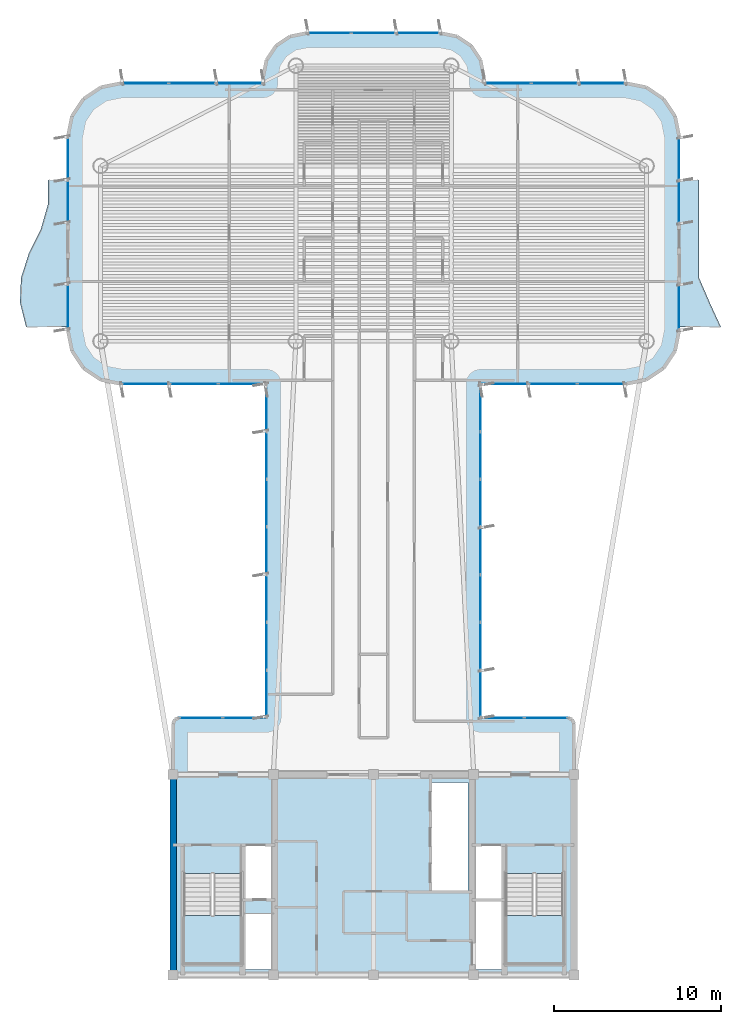
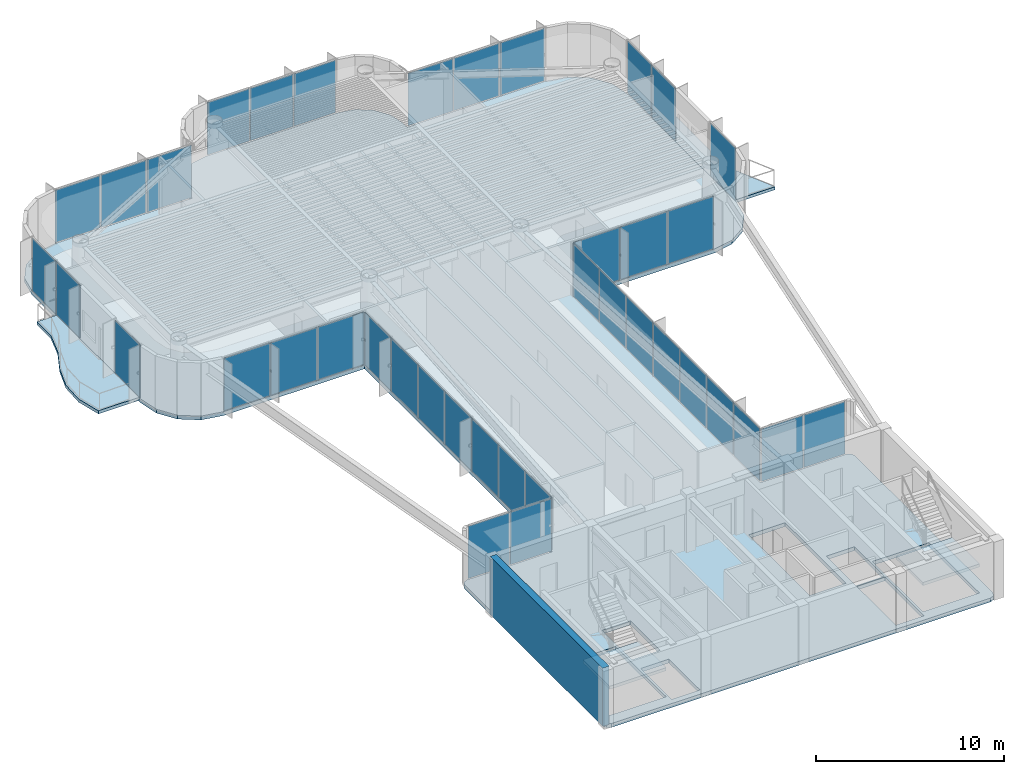
# One storey, part 9 of 16: 39 plates, 5 slabs, 1 wall, 15 elements without a shape of their own.
"""IFC4 building model written with IfcOpenShell, lengths in metres."""

from ifc_helpers import new_model, si_unit, direction, frame, frame_2d, origin, origin_2d, place, context, subcontext, project, spatial, polyline, rectangle, outline, extrude, source, transform, mapped, material, layer, layer_set, type_object, element, aggregate, save


model = new_model("IFC4")

# Units and contexts
model_context = context("Model", 3, precision=1e-05, world=origin(), true_north=direction((0.0, 1.0)))
body_context = subcontext(model_context, "Body", "Model", "MODEL_VIEW")
ifc_project = project(units=[si_unit("LENGTHUNIT", "METRE"), si_unit("AREAUNIT", "SQUARE_METRE"), si_unit("VOLUMEUNIT", "CUBIC_METRE"), si_unit("PLANEANGLEUNIT", "RADIAN"), si_unit("MASSUNIT", "GRAM", prefix="KILO")], contexts=[model_context])

# Site, building, storey
site_placement = place(None, origin())
site = spatial("IfcSite", under=ifc_project, at=site_placement, CompositionType="ELEMENT")
building_placement = place(site_placement, origin())
building = spatial("IfcBuilding", under=site, at=building_placement, Name="Brelvock Crest Care Tower", CompositionType="ELEMENT")
storey_placement = place(building_placement, frame((0.0, 0.0, 234.360107421875)))
storey = spatial("IfcBuildingStorey", under=building, at=storey_placement, Name="L59", CompositionType="ELEMENT", Elevation=234.360107421875)

# Slabs
ifc_material_1 = material(Name="Concrete N50 (50 MPa)", Category="concrete")
ifc_layer_1 = layer(ifc_material_1, 0.22998046875, Name="SLB-FL4")
ifc_layer_set_1 = layer_set([ifc_layer_1], Name="Concrete N50 (50 MPa)")
slab_type_1 = type_object("IfcSlabType", Name="SLB-FL4", PredefinedType="FLOOR", material=ifc_layer_set_1)
slab_1_placement = place(storey_placement, frame((0.0, 0.0, -0.25)))
element("IfcSlab", 1, at=slab_1_placement, inside=storey, type_object=slab_type_1, Name="L59 Main Structural Slab", PredefinedType="FLOOR", context=body_context, shape_type="SweptSolid", body=[
    extrude(outline(polyline([(47.64990234375, 21.39990234375), (42.39990234375, 21.39990234375), (42.39990234375, 41.39990234375), (51.10009765625, 41.39990234375), (52.32470703125, 41.6435546875), (53.36279296875, 42.33740234375), (54.056396484375, 43.37548828125), (54.300048828125, 44.60009765625), (54.300048828125, 56.199951171875), (54.056396484375, 57.424560546875), (53.36279296875, 58.462646484375), (52.32470703125, 59.156494140625), (51.10009765625, 59.39990234375), (42.60009765625, 59.39990234375), (42.60009765625, 59.800048828125), (42.402099609375, 60.794921875), (41.83837890625, 61.638427734375), (40.9951171875, 62.2021484375), (40.0, 62.39990234375), (32.0, 62.39990234375), (31.0048828125, 62.2021484375), (30.16162109375, 61.638427734375), (29.597900390625, 60.794921875), (29.39990234375, 59.800048828125), (29.39990234375, 59.39990234375), (20.89990234375, 59.39990234375), (19.67529296875, 59.156494140625), (18.63720703125, 58.462646484375), (17.943603515625, 57.424560546875), (17.699951171875, 56.199951171875), (17.699951171875, 44.60009765625), (17.943603515625, 43.37548828125), (18.63720703125, 42.33740234375), (19.67529296875, 41.6435546875), (20.89990234375, 41.39990234375), (29.60009765625, 41.39990234375), (29.60009765625, 21.39990234375), (24.35009765625, 21.39990234375), (24.1025390625, 21.297607421875), (24.0, 21.050048828125), (24.0, 6.35009765625), (24.1025390625, 6.1025390625), (24.35009765625, 6.0), (47.64990234375, 6.0), (47.8974609375, 6.1025390625), (48.0, 6.35009765625), (48.0, 21.050048828125), (47.8974609375, 21.297607421875), (47.64990234375, 21.39990234375)]), holes=[polyline([(28.239990234375, 10.580078125), (29.97998046875, 10.580078125), (29.97998046875, 13.739990234375), (28.239990234375, 13.739990234375), (28.239990234375, 10.580078125)]), polyline([(42.02001953125, 10.580078125), (43.760009765625, 10.580078125), (43.760009765625, 13.739990234375), (42.02001953125, 13.739990234375), (42.02001953125, 10.580078125)]), polyline([(28.239990234375, 6.340087890625), (29.97998046875, 6.340087890625), (29.97998046875, 9.64990234375), (28.239990234375, 9.64990234375), (28.239990234375, 6.340087890625)]), polyline([(24.6298828125, 12.080078125), (24.6298828125, 6.699951171875), (28.110107421875, 6.699951171875), (28.110107421875, 12.080078125), (24.6298828125, 12.080078125)]), polyline([(43.889892578125, 12.080078125), (43.889892578125, 6.699951171875), (47.3701171875, 6.699951171875), (47.3701171875, 12.080078125), (43.889892578125, 12.080078125)]), polyline([(42.02001953125, 6.340087890625), (43.760009765625, 6.340087890625), (43.760009765625, 10.5), (42.02001953125, 10.5), (42.02001953125, 6.340087890625)]), polyline([(39.429931640625, 11.030029296875), (41.669921875, 11.030029296875), (41.669921875, 17.52001953125), (39.429931640625, 17.52001953125), (39.429931640625, 11.030029296875)])]), origin(), (0.0, 0.0, 1.0), 0.25),
])
ifc_layer_2 = layer(ifc_material_1, 0.199951171875, Name="SLB-WB2")
ifc_layer_set_2 = layer_set([ifc_layer_2], Name="Concrete N50 (50 MPa)")
slab_type_2 = type_object("IfcSlabType", Name="SLB-WB2", PredefinedType="FLOOR", material=ifc_layer_set_2)
slab_2_placement = place(storey_placement, frame((0.0, 0.0, -0.2001953125)))
element("IfcSlab", 2, at=slab_2_placement, inside=storey, type_object=slab_type_2, Name="L59 W Sinusoidal Wave Balcony Slab", PredefinedType="FLOOR", context=body_context, shape_type="SweptSolid", body=[
    extrude(outline(polyline([(17.699951171875, 53.60009765625), (16.5, 53.60009765625), (16.5, 52.13330078125), (16.079345703125, 50.666748046875), (15.3564453125, 49.199951171875), (14.8896484375, 47.7333984375), (14.82958984375, 46.2666015625), (15.1953125, 44.800048828125), (17.699951171875, 44.800048828125), (17.699951171875, 53.60009765625)])), origin(), (0.0, 0.0, 1.0), 0.2001953125),
])
slab_3_placement = place(storey_placement, frame((0.0, 0.0, -0.2001953125)))
element("IfcSlab", 3, at=slab_3_placement, inside=storey, type_object=slab_type_2, Name="L59 E Sinusoidal Wave Balcony Slab", PredefinedType="FLOOR", context=body_context, shape_type="SweptSolid", body=[
    extrude(outline(polyline([(54.300048828125, 44.800048828125), (56.8046875, 44.800048828125), (56.130615234375, 46.2666015625), (55.5, 47.7333984375), (55.5, 49.199951171875), (55.5, 50.666748046875), (55.5, 52.13330078125), (55.5, 53.60009765625), (54.300048828125, 53.60009765625), (54.300048828125, 44.800048828125)])), origin(), (0.0, 0.0, 1.0), 0.2001953125),
])

# Stair, slab
ifc_material_2 = material(Name="Concrete N40 (40 MPa)", Category="concrete")
stair_type = type_object("IfcStairType", Name="ST-CORE1", PredefinedType="HALF_TURN_STAIR", material=ifc_material_2)
stair_1_placement = place(storey_placement, origin())
stair_1 = element("IfcStair", 4, at=stair_1_placement, inside=storey, type_object=stair_type, Name="L59 Fire-Isolated Core Stair ST-1", PredefinedType="HALF_TURN_STAIR")
ifc_layer_3 = layer(ifc_material_2, 0.199951171875, Name="STL-1")
ifc_layer_set_3 = layer_set([ifc_layer_3], Name="Concrete N40 (40 MPa)")
slab_type_3 = type_object("IfcSlabType", Name="STL-1", PredefinedType="LANDING", material=ifc_layer_set_3)
slab_4_placement = place(storey_placement, frame((0.0, 0.0, 1.68994140625)))
slab_4 = element("IfcSlab", 5, at=slab_4_placement, type_object=slab_type_3, Name="ST-1 landing 1", PredefinedType="LANDING", context=body_context, shape_type="SweptSolid", body=[
    extrude(outline(polyline([(24.6298828125, 9.56005859375), (24.6298828125, 6.699951171875), (28.110107421875, 6.699951171875), (28.110107421875, 9.56005859375), (24.6298828125, 9.56005859375)])), origin(), (0.0, 0.0, 1.0), 0.199951171875),
])
aggregate(stair_1, [slab_4])

stair_2_placement = place(storey_placement, origin())
stair_2 = element("IfcStair", 6, at=stair_2_placement, inside=storey, type_object=stair_type, Name="L59 Fire-Isolated Core Stair ST-2", PredefinedType="HALF_TURN_STAIR")
slab_5_placement = place(storey_placement, frame((0.0, 0.0, 1.68994140625)))
slab_5 = element("IfcSlab", 7, at=slab_5_placement, type_object=slab_type_3, Name="ST-2 landing 1", PredefinedType="LANDING", context=body_context, shape_type="SweptSolid", body=[
    extrude(outline(polyline([(43.889892578125, 9.56005859375), (43.889892578125, 6.699951171875), (47.3701171875, 6.699951171875), (47.3701171875, 9.56005859375), (43.889892578125, 9.56005859375)])), origin(), (0.0, 0.0, 1.0), 0.199951171875),
])
aggregate(stair_2, [slab_5])

# Curtain wall, plates
ifc_material_3 = material(Name="Dark Glass Double Glazed Low-E", Category="glass")
ifc_layer_4 = layer(ifc_material_3, 0.239990234375, Name="CWS-5")
ifc_layer_set_4 = layer_set([ifc_layer_4], Name="Dark Glass Double Glazed Low-E")
curtain_wall_type = type_object("IfcCurtainWallType", Name="CWS-5", PredefinedType="NOTDEFINED", material=ifc_layer_set_4)
curtain_wall_1_placement = place(storey_placement, origin())
curtain_wall_1 = element("IfcCurtainWall", 8, at=curtain_wall_1_placement, inside=storey, type_object=curtain_wall_type, Name="L59 Curtain Wall E10", PredefinedType="NOTDEFINED")
ifc_layer_5 = layer(ifc_material_3, 0.0380859375, Name="CWP-V2")
ifc_layer_set_5 = layer_set([ifc_layer_5], Name="Dark Glass Double Glazed Low-E")
plate_type = type_object("IfcPlateType", Name="CWP-V2", PredefinedType="CURTAIN_PANEL", material=ifc_layer_set_5)
shared_shape_1 = source(origin(), body_context, "Body", "SweptSolid", [
    extrude(rectangle(XDim=2.534912109375, YDim=0.035888671875, at=origin_2d()), origin(), (0.0, 0.0, 1.0), 3.409912109375),
])
plate_1_placement = place(storey_placement, frame((25.677490234375, 21.39990234375, 0.06005859375), z_axis=(0.0, 0.0, 1.0), x_axis=(1.0, 0.0, 0.0)))
plate_1 = element("IfcPlate", 9, at=plate_1_placement, type_object=plate_type, Name="CW-5 panel 1.1", PredefinedType="CURTAIN_PANEL", context=body_context, shape_type="MappedRepresentation", body=[
    mapped(shared_shape_1, transform((0.0, 0.0, 0.0), x_axis=(1.0, 0.0, 0.0), y_axis=(0.0, 1.0, 0.0), z_axis=(0.0, 0.0, 1.0), scale=1.0)),
])
plate_2_placement = place(storey_placement, frame((28.2724609375, 21.39990234375, 0.06005859375), z_axis=(0.0, 0.0, 1.0), x_axis=(1.0, 0.0, 0.0)))
plate_2 = element("IfcPlate", 10, at=plate_2_placement, type_object=plate_type, Name="CW-5 panel 2.1", PredefinedType="CURTAIN_PANEL", context=body_context, shape_type="MappedRepresentation", body=[
    mapped(shared_shape_1, transform((0.0, 0.0, 0.0), x_axis=(1.0, 0.0, 0.0), y_axis=(0.0, 1.0, 0.0), z_axis=(0.0, 0.0, 1.0), scale=1.0)),
])
aggregate(curtain_wall_1, [plate_1, plate_2])

curtain_wall_2_placement = place(storey_placement, origin())
curtain_wall_2 = element("IfcCurtainWall", 11, at=curtain_wall_2_placement, inside=storey, type_object=curtain_wall_type, Name="L59 Curtain Wall E46", PredefinedType="NOTDEFINED")
plate_3_placement = place(storey_placement, frame((43.7275390625, 21.39990234375, 0.06005859375), z_axis=(0.0, 0.0, 1.0), x_axis=(1.0, 0.0, 0.0)))
plate_3 = element("IfcPlate", 12, at=plate_3_placement, type_object=plate_type, Name="CW-5 panel 1.1", PredefinedType="CURTAIN_PANEL", context=body_context, shape_type="MappedRepresentation", body=[
    mapped(shared_shape_1, transform((0.0, 0.0, 0.0), x_axis=(1.0, 0.0, 0.0), y_axis=(0.0, 1.0, 0.0), z_axis=(0.0, 0.0, 1.0), scale=1.0)),
])
plate_4_placement = place(storey_placement, frame((46.322509765625, 21.39990234375, 0.06005859375), z_axis=(0.0, 0.0, 1.0), x_axis=(1.0, 0.0, 0.0)))
plate_4 = element("IfcPlate", 13, at=plate_4_placement, type_object=plate_type, Name="CW-5 panel 2.1", PredefinedType="CURTAIN_PANEL", context=body_context, shape_type="MappedRepresentation", body=[
    mapped(shared_shape_1, transform((0.0, 0.0, 0.0), x_axis=(1.0, 0.0, 0.0), y_axis=(0.0, 1.0, 0.0), z_axis=(0.0, 0.0, 1.0), scale=1.0)),
])
aggregate(curtain_wall_2, [plate_3, plate_4])

curtain_wall_3_placement = place(storey_placement, origin())
curtain_wall_3 = element("IfcCurtainWall", 14, at=curtain_wall_3_placement, inside=storey, type_object=curtain_wall_type, Name="L59 Curtain Wall E17B", PredefinedType="NOTDEFINED")
shared_shape_2 = source(origin(), body_context, "Body", "SweptSolid", [
    extrude(rectangle(XDim=2.510009765625, YDim=0.035888671875, at=origin_2d()), origin(), (0.0, 0.0, 1.0), 3.409912109375),
])
plate_5_placement = place(storey_placement, frame((17.699951171875, 52.31494140625, 0.06005859375), z_axis=(0.0, 0.0, 1.0), x_axis=(0.0, 1.0, 0.0)))
plate_5 = element("IfcPlate", 15, at=plate_5_placement, type_object=plate_type, Name="CW-5 panel 1.1", PredefinedType="CURTAIN_PANEL", context=body_context, shape_type="MappedRepresentation", body=[
    mapped(shared_shape_2, transform((0.0, 0.0, 0.0), x_axis=(1.0, 0.0, 0.0), y_axis=(0.0, 1.0, 0.0), z_axis=(0.0, 0.0, 1.0), scale=1.0)),
])
plate_6_placement = place(storey_placement, frame((17.699951171875, 54.885009765625, 0.06005859375), z_axis=(0.0, 0.0, 1.0), x_axis=(0.0, 1.0, 0.0)))
plate_6 = element("IfcPlate", 16, at=plate_6_placement, type_object=plate_type, Name="CW-5 panel 2.1", PredefinedType="CURTAIN_PANEL", context=body_context, shape_type="MappedRepresentation", body=[
    mapped(shared_shape_2, transform((0.0, 0.0, 0.0), x_axis=(1.0, 0.0, 0.0), y_axis=(0.0, 1.0, 0.0), z_axis=(0.0, 0.0, 1.0), scale=1.0)),
])
aggregate(curtain_wall_3, [plate_5, plate_6])

curtain_wall_4_placement = place(storey_placement, origin())
curtain_wall_4 = element("IfcCurtainWall", 17, at=curtain_wall_4_placement, inside=storey, type_object=curtain_wall_type, Name="L59 Curtain Wall E39A", PredefinedType="NOTDEFINED")
plate_7_placement = place(storey_placement, frame((54.300048828125, 54.885009765625, 0.06005859375), z_axis=(0.0, 0.0, 1.0), x_axis=(0.0, -1.0, 0.0)))
plate_7 = element("IfcPlate", 18, at=plate_7_placement, type_object=plate_type, Name="CW-5 panel 1.1", PredefinedType="CURTAIN_PANEL", context=body_context, shape_type="MappedRepresentation", body=[
    mapped(shared_shape_2, transform((0.0, 0.0, 0.0), x_axis=(1.0, 0.0, 0.0), y_axis=(0.0, 1.0, 0.0), z_axis=(0.0, 0.0, 1.0), scale=1.0)),
])
plate_8_placement = place(storey_placement, frame((54.300048828125, 52.31494140625, 0.06005859375), z_axis=(0.0, 0.0, 1.0), x_axis=(0.0, -1.0, 0.0)))
plate_8 = element("IfcPlate", 19, at=plate_8_placement, type_object=plate_type, Name="CW-5 panel 2.1", PredefinedType="CURTAIN_PANEL", context=body_context, shape_type="MappedRepresentation", body=[
    mapped(shared_shape_2, transform((0.0, 0.0, 0.0), x_axis=(1.0, 0.0, 0.0), y_axis=(0.0, 1.0, 0.0), z_axis=(0.0, 0.0, 1.0), scale=1.0)),
])
aggregate(curtain_wall_4, [plate_7, plate_8])

curtain_wall_5_placement = place(storey_placement, origin())
curtain_wall_5 = element("IfcCurtainWall", 20, at=curtain_wall_5_placement, inside=storey, type_object=curtain_wall_type, Name="L59 Curtain Wall E11", PredefinedType="NOTDEFINED")
shared_shape_3 = source(origin(), body_context, "Body", "SweptSolid", [
    extrude(rectangle(XDim=2.76708984375, YDim=0.035888671875, at=origin_2d()), origin(), (0.0, 0.0, 1.0), 3.409912109375),
])
plate_9_placement = place(storey_placement, frame((29.60009765625, 22.843505859375, 0.06005859375), z_axis=(0.0, 0.0, 1.0), x_axis=(0.0, 1.0, 0.0)))
plate_9 = element("IfcPlate", 21, at=plate_9_placement, type_object=plate_type, Name="CW-5 panel 1.1", PredefinedType="CURTAIN_PANEL", context=body_context, shape_type="MappedRepresentation", body=[
    mapped(shared_shape_3, transform((0.0, 0.0, 0.0), x_axis=(1.0, 0.0, 0.0), y_axis=(0.0, 1.0, 0.0), z_axis=(0.0, 0.0, 1.0), scale=1.0)),
])
plate_10_placement = place(storey_placement, frame((29.60009765625, 39.95654296875, 0.06005859375), z_axis=(0.0, 0.0, 1.0), x_axis=(0.0, 1.0, 0.0)))
plate_10 = element("IfcPlate", 22, at=plate_10_placement, type_object=plate_type, Name="CW-5 panel 7.1", PredefinedType="CURTAIN_PANEL", context=body_context, shape_type="MappedRepresentation", body=[
    mapped(shared_shape_3, transform((0.0, 0.0, 0.0), x_axis=(1.0, 0.0, 0.0), y_axis=(0.0, 1.0, 0.0), z_axis=(0.0, 0.0, 1.0), scale=1.0)),
])

curtain_wall_6_placement = place(storey_placement, origin())
curtain_wall_6 = element("IfcCurtainWall", 23, at=curtain_wall_6_placement, inside=storey, type_object=curtain_wall_type, Name="L59 Curtain Wall E45", PredefinedType="NOTDEFINED")
plate_11_placement = place(storey_placement, frame((42.39990234375, 39.95654296875, 0.06005859375), z_axis=(0.0, 0.0, 1.0), x_axis=(0.0, -1.0, 0.0)))
plate_11 = element("IfcPlate", 24, at=plate_11_placement, type_object=plate_type, Name="CW-5 panel 1.1", PredefinedType="CURTAIN_PANEL", context=body_context, shape_type="MappedRepresentation", body=[
    mapped(shared_shape_3, transform((0.0, 0.0, 0.0), x_axis=(1.0, 0.0, 0.0), y_axis=(0.0, 1.0, 0.0), z_axis=(0.0, 0.0, 1.0), scale=1.0)),
])
plate_12_placement = place(storey_placement, frame((42.39990234375, 22.843505859375, 0.06005859375), z_axis=(0.0, 0.0, 1.0), x_axis=(0.0, -1.0, 0.0)))
plate_12 = element("IfcPlate", 25, at=plate_12_placement, type_object=plate_type, Name="CW-5 panel 7.1", PredefinedType="CURTAIN_PANEL", context=body_context, shape_type="MappedRepresentation", body=[
    mapped(shared_shape_3, transform((0.0, 0.0, 0.0), x_axis=(1.0, 0.0, 0.0), y_axis=(0.0, 1.0, 0.0), z_axis=(0.0, 0.0, 1.0), scale=1.0)),
])

# Plate
shared_shape_4 = source(origin(), body_context, "Body", "SweptSolid", [
    extrude(rectangle(XDim=2.797119140625, YDim=0.035888671875, at=origin_2d()), origin(), (0.0, 0.0, 1.0), 3.409912109375),
])
plate_13_placement = place(storey_placement, frame((29.60009765625, 25.685791015625, 0.06005859375), z_axis=(0.0, 0.0, 1.0), x_axis=(0.0, 1.0, 0.0)))
plate_13 = element("IfcPlate", 26, at=plate_13_placement, type_object=plate_type, Name="CW-5 panel 2.1", PredefinedType="CURTAIN_PANEL", context=body_context, shape_type="MappedRepresentation", body=[
    mapped(shared_shape_4, transform((0.0, 0.0, 0.0), x_axis=(1.0, 0.0, 0.0), y_axis=(0.0, 1.0, 0.0), z_axis=(0.0, 0.0, 1.0), scale=1.0)),
])

plate_14_placement = place(storey_placement, frame((29.60009765625, 28.54296875, 0.06005859375), z_axis=(0.0, 0.0, 1.0), x_axis=(0.0, 1.0, 0.0)))
plate_14 = element("IfcPlate", 27, at=plate_14_placement, type_object=plate_type, Name="CW-5 panel 3.1", PredefinedType="CURTAIN_PANEL", context=body_context, shape_type="MappedRepresentation", body=[
    mapped(shared_shape_4, transform((0.0, 0.0, 0.0), x_axis=(1.0, 0.0, 0.0), y_axis=(0.0, 1.0, 0.0), z_axis=(0.0, 0.0, 1.0), scale=1.0)),
])

plate_15_placement = place(storey_placement, frame((29.60009765625, 31.39990234375, 0.06005859375), z_axis=(0.0, 0.0, 1.0), x_axis=(0.0, 1.0, 0.0)))
plate_15 = element("IfcPlate", 28, at=plate_15_placement, type_object=plate_type, Name="CW-5 panel 4.1", PredefinedType="CURTAIN_PANEL", context=body_context, shape_type="MappedRepresentation", body=[
    mapped(shared_shape_4, transform((0.0, 0.0, 0.0), x_axis=(1.0, 0.0, 0.0), y_axis=(0.0, 1.0, 0.0), z_axis=(0.0, 0.0, 1.0), scale=1.0)),
])

plate_16_placement = place(storey_placement, frame((29.60009765625, 34.257080078125, 0.06005859375), z_axis=(0.0, 0.0, 1.0), x_axis=(0.0, 1.0, 0.0)))
plate_16 = element("IfcPlate", 29, at=plate_16_placement, type_object=plate_type, Name="CW-5 panel 5.1", PredefinedType="CURTAIN_PANEL", context=body_context, shape_type="MappedRepresentation", body=[
    mapped(shared_shape_4, transform((0.0, 0.0, 0.0), x_axis=(1.0, 0.0, 0.0), y_axis=(0.0, 1.0, 0.0), z_axis=(0.0, 0.0, 1.0), scale=1.0)),
])

plate_17_placement = place(storey_placement, frame((29.60009765625, 37.1142578125, 0.06005859375), z_axis=(0.0, 0.0, 1.0), x_axis=(0.0, 1.0, 0.0)))
plate_17 = element("IfcPlate", 30, at=plate_17_placement, type_object=plate_type, Name="CW-5 panel 6.1", PredefinedType="CURTAIN_PANEL", context=body_context, shape_type="MappedRepresentation", body=[
    mapped(shared_shape_4, transform((0.0, 0.0, 0.0), x_axis=(1.0, 0.0, 0.0), y_axis=(0.0, 1.0, 0.0), z_axis=(0.0, 0.0, 1.0), scale=1.0)),
])

aggregate(curtain_wall_5, [plate_9, plate_13, plate_14, plate_15, plate_16, plate_17, plate_10])

plate_18_placement = place(storey_placement, frame((42.39990234375, 37.1142578125, 0.06005859375), z_axis=(0.0, 0.0, 1.0), x_axis=(0.0, -1.0, 0.0)))
plate_18 = element("IfcPlate", 31, at=plate_18_placement, type_object=plate_type, Name="CW-5 panel 2.1", PredefinedType="CURTAIN_PANEL", context=body_context, shape_type="MappedRepresentation", body=[
    mapped(shared_shape_4, transform((0.0, 0.0, 0.0), x_axis=(1.0, 0.0, 0.0), y_axis=(0.0, 1.0, 0.0), z_axis=(0.0, 0.0, 1.0), scale=1.0)),
])

plate_19_placement = place(storey_placement, frame((42.39990234375, 34.257080078125, 0.06005859375), z_axis=(0.0, 0.0, 1.0), x_axis=(0.0, -1.0, 0.0)))
plate_19 = element("IfcPlate", 32, at=plate_19_placement, type_object=plate_type, Name="CW-5 panel 3.1", PredefinedType="CURTAIN_PANEL", context=body_context, shape_type="MappedRepresentation", body=[
    mapped(shared_shape_4, transform((0.0, 0.0, 0.0), x_axis=(1.0, 0.0, 0.0), y_axis=(0.0, 1.0, 0.0), z_axis=(0.0, 0.0, 1.0), scale=1.0)),
])

plate_20_placement = place(storey_placement, frame((42.39990234375, 31.39990234375, 0.06005859375), z_axis=(0.0, 0.0, 1.0), x_axis=(0.0, -1.0, 0.0)))
plate_20 = element("IfcPlate", 33, at=plate_20_placement, type_object=plate_type, Name="CW-5 panel 4.1", PredefinedType="CURTAIN_PANEL", context=body_context, shape_type="MappedRepresentation", body=[
    mapped(shared_shape_4, transform((0.0, 0.0, 0.0), x_axis=(1.0, 0.0, 0.0), y_axis=(0.0, 1.0, 0.0), z_axis=(0.0, 0.0, 1.0), scale=1.0)),
])

plate_21_placement = place(storey_placement, frame((42.39990234375, 28.54296875, 0.06005859375), z_axis=(0.0, 0.0, 1.0), x_axis=(0.0, -1.0, 0.0)))
plate_21 = element("IfcPlate", 34, at=plate_21_placement, type_object=plate_type, Name="CW-5 panel 5.1", PredefinedType="CURTAIN_PANEL", context=body_context, shape_type="MappedRepresentation", body=[
    mapped(shared_shape_4, transform((0.0, 0.0, 0.0), x_axis=(1.0, 0.0, 0.0), y_axis=(0.0, 1.0, 0.0), z_axis=(0.0, 0.0, 1.0), scale=1.0)),
])

plate_22_placement = place(storey_placement, frame((42.39990234375, 25.685791015625, 0.06005859375), z_axis=(0.0, 0.0, 1.0), x_axis=(0.0, -1.0, 0.0)))
plate_22 = element("IfcPlate", 35, at=plate_22_placement, type_object=plate_type, Name="CW-5 panel 6.1", PredefinedType="CURTAIN_PANEL", context=body_context, shape_type="MappedRepresentation", body=[
    mapped(shared_shape_4, transform((0.0, 0.0, 0.0), x_axis=(1.0, 0.0, 0.0), y_axis=(0.0, 1.0, 0.0), z_axis=(0.0, 0.0, 1.0), scale=1.0)),
])

aggregate(curtain_wall_6, [plate_11, plate_18, plate_19, plate_20, plate_21, plate_22, plate_12])

# Curtain wall, plates
curtain_wall_7_placement = place(storey_placement, origin())
curtain_wall_7 = element("IfcCurtainWall", 36, at=curtain_wall_7_placement, inside=storey, type_object=curtain_wall_type, Name="L59 Curtain Wall E12", PredefinedType="NOTDEFINED")
shared_shape_5 = source(origin(), body_context, "Body", "SweptSolid", [
    extrude(rectangle(XDim=2.81005859375, YDim=0.035888671875, at=origin_2d()), origin(), (0.0, 0.0, 1.0), 3.409912109375),
])
plate_23_placement = place(storey_placement, frame((28.135009765625, 41.39990234375, 0.06005859375), z_axis=(0.0, 0.0, 1.0), x_axis=(-1.0, 0.0, 0.0)))
plate_23 = element("IfcPlate", 37, at=plate_23_placement, type_object=plate_type, Name="CW-5 panel 1.1", PredefinedType="CURTAIN_PANEL", context=body_context, shape_type="MappedRepresentation", body=[
    mapped(shared_shape_5, transform((0.0, 0.0, 0.0), x_axis=(1.0, 0.0, 0.0), y_axis=(0.0, 1.0, 0.0), z_axis=(0.0, 0.0, 1.0), scale=1.0)),
])
plate_24_placement = place(storey_placement, frame((22.364990234375, 41.39990234375, 0.06005859375), z_axis=(0.0, 0.0, 1.0), x_axis=(-1.0, 0.0, 0.0)))
plate_24 = element("IfcPlate", 38, at=plate_24_placement, type_object=plate_type, Name="CW-5 panel 3.1", PredefinedType="CURTAIN_PANEL", context=body_context, shape_type="MappedRepresentation", body=[
    mapped(shared_shape_5, transform((0.0, 0.0, 0.0), x_axis=(1.0, 0.0, 0.0), y_axis=(0.0, 1.0, 0.0), z_axis=(0.0, 0.0, 1.0), scale=1.0)),
])

curtain_wall_8_placement = place(storey_placement, origin())
curtain_wall_8 = element("IfcCurtainWall", 39, at=curtain_wall_8_placement, inside=storey, type_object=curtain_wall_type, Name="L59 Curtain Wall E44", PredefinedType="NOTDEFINED")
plate_25_placement = place(storey_placement, frame((49.635009765625, 41.39990234375, 0.06005859375), z_axis=(0.0, 0.0, 1.0), x_axis=(-1.0, 0.0, 0.0)))
plate_25 = element("IfcPlate", 40, at=plate_25_placement, type_object=plate_type, Name="CW-5 panel 1.1", PredefinedType="CURTAIN_PANEL", context=body_context, shape_type="MappedRepresentation", body=[
    mapped(shared_shape_5, transform((0.0, 0.0, 0.0), x_axis=(1.0, 0.0, 0.0), y_axis=(0.0, 1.0, 0.0), z_axis=(0.0, 0.0, 1.0), scale=1.0)),
])
plate_26_placement = place(storey_placement, frame((43.864990234375, 41.39990234375, 0.06005859375), z_axis=(0.0, 0.0, 1.0), x_axis=(-1.0, 0.0, 0.0)))
plate_26 = element("IfcPlate", 41, at=plate_26_placement, type_object=plate_type, Name="CW-5 panel 3.1", PredefinedType="CURTAIN_PANEL", context=body_context, shape_type="MappedRepresentation", body=[
    mapped(shared_shape_5, transform((0.0, 0.0, 0.0), x_axis=(1.0, 0.0, 0.0), y_axis=(0.0, 1.0, 0.0), z_axis=(0.0, 0.0, 1.0), scale=1.0)),
])

# Plate
shared_shape_6 = source(origin(), body_context, "Body", "SweptSolid", [
    extrude(rectangle(XDim=2.840087890625, YDim=0.035888671875, at=origin_2d()), origin(), (0.0, 0.0, 1.0), 3.409912109375),
])
plate_27_placement = place(storey_placement, frame((25.25, 41.39990234375, 0.06005859375), z_axis=(0.0, 0.0, 1.0), x_axis=(-1.0, 0.0, 0.0)))
plate_27 = element("IfcPlate", 42, at=plate_27_placement, type_object=plate_type, Name="CW-5 panel 2.1", PredefinedType="CURTAIN_PANEL", context=body_context, shape_type="MappedRepresentation", body=[
    mapped(shared_shape_6, transform((0.0, 0.0, 0.0), x_axis=(1.0, 0.0, 0.0), y_axis=(0.0, 1.0, 0.0), z_axis=(0.0, 0.0, 1.0), scale=1.0)),
])

aggregate(curtain_wall_7, [plate_23, plate_27, plate_24])

plate_28_placement = place(storey_placement, frame((46.75, 41.39990234375, 0.06005859375), z_axis=(0.0, 0.0, 1.0), x_axis=(-1.0, 0.0, 0.0)))
plate_28 = element("IfcPlate", 43, at=plate_28_placement, type_object=plate_type, Name="CW-5 panel 2.1", PredefinedType="CURTAIN_PANEL", context=body_context, shape_type="MappedRepresentation", body=[
    mapped(shared_shape_6, transform((0.0, 0.0, 0.0), x_axis=(1.0, 0.0, 0.0), y_axis=(0.0, 1.0, 0.0), z_axis=(0.0, 0.0, 1.0), scale=1.0)),
])

aggregate(curtain_wall_8, [plate_25, plate_28, plate_26])

# Curtain wall, plates
curtain_wall_9_placement = place(storey_placement, origin())
curtain_wall_9 = element("IfcCurtainWall", 44, at=curtain_wall_9_placement, inside=storey, type_object=curtain_wall_type, Name="L59 Curtain Wall E22", PredefinedType="NOTDEFINED")
shared_shape_7 = source(origin(), body_context, "Body", "SweptSolid", [
    extrude(rectangle(XDim=2.743408203125, YDim=0.035888671875, at=origin_2d()), origin(), (0.0, 0.0, 1.0), 3.409912109375),
])
plate_29_placement = place(storey_placement, frame((22.331787109375, 59.39990234375, 0.06005859375), z_axis=(0.0, 0.0, 1.0), x_axis=(1.0, 0.0, 0.0)))
plate_29 = element("IfcPlate", 45, at=plate_29_placement, type_object=plate_type, Name="CW-5 panel 1.1", PredefinedType="CURTAIN_PANEL", context=body_context, shape_type="MappedRepresentation", body=[
    mapped(shared_shape_7, transform((0.0, 0.0, 0.0), x_axis=(1.0, 0.0, 0.0), y_axis=(0.0, 1.0, 0.0), z_axis=(0.0, 0.0, 1.0), scale=1.0)),
])
plate_30_placement = place(storey_placement, frame((27.96826171875, 59.39990234375, 0.06005859375), z_axis=(0.0, 0.0, 1.0), x_axis=(1.0, 0.0, 0.0)))
plate_30 = element("IfcPlate", 46, at=plate_30_placement, type_object=plate_type, Name="CW-5 panel 3.1", PredefinedType="CURTAIN_PANEL", context=body_context, shape_type="MappedRepresentation", body=[
    mapped(shared_shape_7, transform((0.0, 0.0, 0.0), x_axis=(1.0, 0.0, 0.0), y_axis=(0.0, 1.0, 0.0), z_axis=(0.0, 0.0, 1.0), scale=1.0)),
])

curtain_wall_10_placement = place(storey_placement, origin())
curtain_wall_10 = element("IfcCurtainWall", 47, at=curtain_wall_10_placement, inside=storey, type_object=curtain_wall_type, Name="L59 Curtain Wall E34", PredefinedType="NOTDEFINED")
plate_31_placement = place(storey_placement, frame((44.03173828125, 59.39990234375, 0.06005859375), z_axis=(0.0, 0.0, 1.0), x_axis=(1.0, 0.0, 0.0)))
plate_31 = element("IfcPlate", 48, at=plate_31_placement, type_object=plate_type, Name="CW-5 panel 1.1", PredefinedType="CURTAIN_PANEL", context=body_context, shape_type="MappedRepresentation", body=[
    mapped(shared_shape_7, transform((0.0, 0.0, 0.0), x_axis=(1.0, 0.0, 0.0), y_axis=(0.0, 1.0, 0.0), z_axis=(0.0, 0.0, 1.0), scale=1.0)),
])
plate_32_placement = place(storey_placement, frame((49.668212890625, 59.39990234375, 0.06005859375), z_axis=(0.0, 0.0, 1.0), x_axis=(1.0, 0.0, 0.0)))
plate_32 = element("IfcPlate", 49, at=plate_32_placement, type_object=plate_type, Name="CW-5 panel 3.1", PredefinedType="CURTAIN_PANEL", context=body_context, shape_type="MappedRepresentation", body=[
    mapped(shared_shape_7, transform((0.0, 0.0, 0.0), x_axis=(1.0, 0.0, 0.0), y_axis=(0.0, 1.0, 0.0), z_axis=(0.0, 0.0, 1.0), scale=1.0)),
])

# Plate
shared_shape_8 = source(origin(), body_context, "Body", "SweptSolid", [
    extrude(rectangle(XDim=2.7734375, YDim=0.035888671875, at=origin_2d()), origin(), (0.0, 0.0, 1.0), 3.409912109375),
])
plate_33_placement = place(storey_placement, frame((25.14990234375, 59.39990234375, 0.06005859375), z_axis=(0.0, 0.0, 1.0), x_axis=(1.0, 0.0, 0.0)))
plate_33 = element("IfcPlate", 50, at=plate_33_placement, type_object=plate_type, Name="CW-5 panel 2.1", PredefinedType="CURTAIN_PANEL", context=body_context, shape_type="MappedRepresentation", body=[
    mapped(shared_shape_8, transform((0.0, 0.0, 0.0), x_axis=(1.0, 0.0, 0.0), y_axis=(0.0, 1.0, 0.0), z_axis=(0.0, 0.0, 1.0), scale=1.0)),
])

aggregate(curtain_wall_9, [plate_29, plate_33, plate_30])

plate_34_placement = place(storey_placement, frame((46.85009765625, 59.39990234375, 0.06005859375), z_axis=(0.0, 0.0, 1.0), x_axis=(1.0, 0.0, 0.0)))
plate_34 = element("IfcPlate", 51, at=plate_34_placement, type_object=plate_type, Name="CW-5 panel 2.1", PredefinedType="CURTAIN_PANEL", context=body_context, shape_type="MappedRepresentation", body=[
    mapped(shared_shape_8, transform((0.0, 0.0, 0.0), x_axis=(1.0, 0.0, 0.0), y_axis=(0.0, 1.0, 0.0), z_axis=(0.0, 0.0, 1.0), scale=1.0)),
])

aggregate(curtain_wall_10, [plate_31, plate_34, plate_32])

# Curtain wall, plates
curtain_wall_11_placement = place(storey_placement, origin())
curtain_wall_11 = element("IfcCurtainWall", 52, at=curtain_wall_11_placement, inside=storey, type_object=curtain_wall_type, Name="L59 Curtain Wall E28", PredefinedType="NOTDEFINED")
shared_shape_9 = source(origin(), body_context, "Body", "SweptSolid", [
    extrude(rectangle(XDim=2.57666015625, YDim=0.035888671875, at=origin_2d()), origin(), (0.0, 0.0, 1.0), 3.409912109375),
])
plate_35_placement = place(storey_placement, frame((33.348388671875, 62.39990234375, 0.06005859375), z_axis=(0.0, 0.0, 1.0), x_axis=(1.0, 0.0, 0.0)))
plate_35 = element("IfcPlate", 53, at=plate_35_placement, type_object=plate_type, Name="CW-5 panel 1.1", PredefinedType="CURTAIN_PANEL", context=body_context, shape_type="MappedRepresentation", body=[
    mapped(shared_shape_9, transform((0.0, 0.0, 0.0), x_axis=(1.0, 0.0, 0.0), y_axis=(0.0, 1.0, 0.0), z_axis=(0.0, 0.0, 1.0), scale=1.0)),
])
plate_36_placement = place(storey_placement, frame((38.651611328125, 62.39990234375, 0.06005859375), z_axis=(0.0, 0.0, 1.0), x_axis=(1.0, 0.0, 0.0)))
plate_36 = element("IfcPlate", 54, at=plate_36_placement, type_object=plate_type, Name="CW-5 panel 3.1", PredefinedType="CURTAIN_PANEL", context=body_context, shape_type="MappedRepresentation", body=[
    mapped(shared_shape_9, transform((0.0, 0.0, 0.0), x_axis=(1.0, 0.0, 0.0), y_axis=(0.0, 1.0, 0.0), z_axis=(0.0, 0.0, 1.0), scale=1.0)),
])
shared_shape_10 = source(origin(), body_context, "Body", "SweptSolid", [
    extrude(rectangle(XDim=2.606689453125, YDim=0.035888671875, at=origin_2d()), origin(), (0.0, 0.0, 1.0), 3.409912109375),
])
plate_37_placement = place(storey_placement, frame((36.0, 62.39990234375, 0.06005859375), z_axis=(0.0, 0.0, 1.0), x_axis=(1.0, 0.0, 0.0)))
plate_37 = element("IfcPlate", 55, at=plate_37_placement, type_object=plate_type, Name="CW-5 panel 2.1", PredefinedType="CURTAIN_PANEL", context=body_context, shape_type="MappedRepresentation", body=[
    mapped(shared_shape_10, transform((0.0, 0.0, 0.0), x_axis=(1.0, 0.0, 0.0), y_axis=(0.0, 1.0, 0.0), z_axis=(0.0, 0.0, 1.0), scale=1.0)),
])
aggregate(curtain_wall_11, [plate_35, plate_37, plate_36])

# Curtain wall, plate
curtain_wall_12_placement = place(storey_placement, origin())
curtain_wall_12 = element("IfcCurtainWall", 56, at=curtain_wall_12_placement, inside=storey, type_object=curtain_wall_type, Name="L59 Curtain Wall E17A", PredefinedType="NOTDEFINED")
shared_shape_11 = source(origin(), body_context, "Body", "SweptSolid", [
    extrude(rectangle(XDim=2.679931640625, YDim=0.035888671875, at=origin_2d()), origin(), (0.0, 0.0, 1.0), 3.409912109375),
])
plate_38_placement = place(storey_placement, frame((17.699951171875, 46.0, 0.06005859375), z_axis=(0.0, 0.0, 1.0), x_axis=(0.0, 1.0, 0.0)))
plate_38 = element("IfcPlate", 57, at=plate_38_placement, type_object=plate_type, Name="CW-5 panel 1.1", PredefinedType="CURTAIN_PANEL", context=body_context, shape_type="MappedRepresentation", body=[
    mapped(shared_shape_11, transform((0.0, 0.0, 0.0), x_axis=(1.0, 0.0, 0.0), y_axis=(0.0, 1.0, 0.0), z_axis=(0.0, 0.0, 1.0), scale=1.0)),
])
aggregate(curtain_wall_12, [plate_38])

curtain_wall_13_placement = place(storey_placement, origin())
curtain_wall_13 = element("IfcCurtainWall", 58, at=curtain_wall_13_placement, inside=storey, type_object=curtain_wall_type, Name="L59 Curtain Wall E39B", PredefinedType="NOTDEFINED")
plate_39_placement = place(storey_placement, frame((54.300048828125, 46.0, 0.06005859375), z_axis=(0.0, 0.0, 1.0), x_axis=(0.0, -1.0, 0.0)))
plate_39 = element("IfcPlate", 59, at=plate_39_placement, type_object=plate_type, Name="CW-5 panel 1.1", PredefinedType="CURTAIN_PANEL", context=body_context, shape_type="MappedRepresentation", body=[
    mapped(shared_shape_11, transform((0.0, 0.0, 0.0), x_axis=(1.0, 0.0, 0.0), y_axis=(0.0, 1.0, 0.0), z_axis=(0.0, 0.0, 1.0), scale=1.0)),
])
aggregate(curtain_wall_13, [plate_39])

# Wall
ifc_material_4 = material(Name="Concrete S65 (65 MPa)", Category="concrete")
ifc_layer_6 = layer(ifc_material_4, 0.39990234375, Name="WL-CS4")
ifc_layer_set_6 = layer_set([ifc_layer_6], Name="Concrete S65 (65 MPa)")
wall_type = type_object("IfcWallType", Name="WL-CS4", PredefinedType="SHEAR", material=ifc_layer_set_6)
wall_placement = place(storey_placement, frame((24.0, 6.0, 0.0), z_axis=(0.0, 0.0, 1.0), x_axis=(0.0, 1.0, 0.0)))
element("IfcWall", 60, at=wall_placement, inside=storey, type_object=wall_type, Name="L59 Core West Shear Wall", PredefinedType="SHEAR", context=body_context, shape_type="SweptSolid", body=[
    extrude(rectangle(XDim=12.0, YDim=0.39990234375, at=frame_2d((6.0, 0.0))), origin(), (0.0, 0.0, 1.0), 3.77978515625),
])

save(model, "model.ifc")
